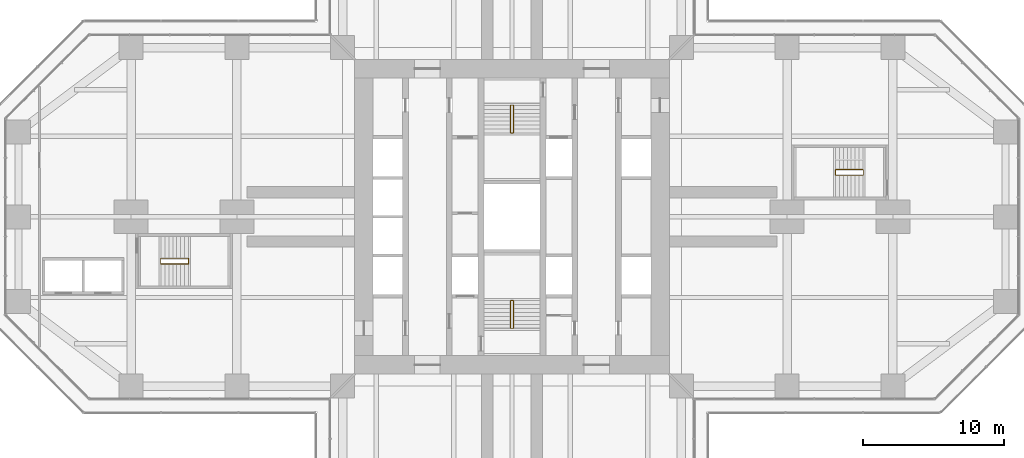
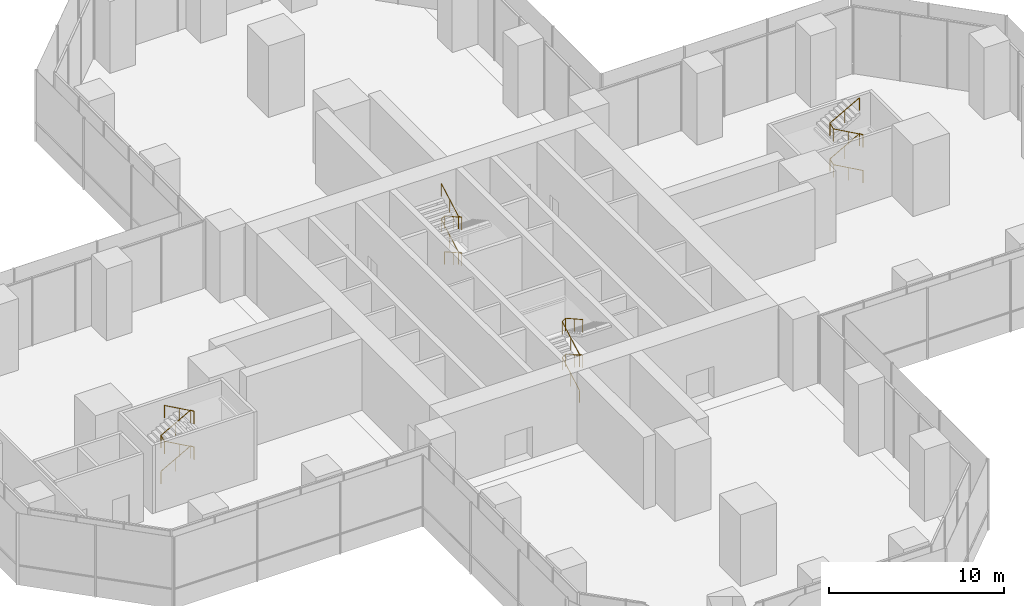
# One storey, part 23 of 23: 4 railings.
"""IFC4 building model written with IfcOpenShell, lengths in metres."""

from ifc_helpers import new_model, si_unit, direction, frame, origin, origin_2d, place, context, subcontext, project, spatial, circle, extrude, material, type_object, element, save


model = new_model("IFC4")

# Units and contexts
model_context = context("Model", 3, precision=1e-05, world=origin(), true_north=direction((0.0, 1.0)))
body_context = subcontext(model_context, "Body", "Model", "MODEL_VIEW")
ifc_project = project(units=[si_unit("LENGTHUNIT", "METRE"), si_unit("AREAUNIT", "SQUARE_METRE"), si_unit("VOLUMEUNIT", "CUBIC_METRE"), si_unit("PLANEANGLEUNIT", "RADIAN"), si_unit("MASSUNIT", "GRAM", prefix="KILO")], contexts=[model_context])

# Site, building, storey
site_placement = place(None, origin())
site = spatial("IfcSite", under=ifc_project, at=site_placement, CompositionType="ELEMENT")
building_placement = place(site_placement, origin())
building = spatial("IfcBuilding", under=site, at=building_placement, Name="Mizan Broadcast Tower", CompositionType="ELEMENT")
storey_placement = place(building_placement, frame((0.0, 0.0, 23.0)))
storey = spatial("IfcBuildingStorey", under=building, at=storey_placement, Name="L03", CompositionType="ELEMENT", Elevation=23.0)

# Railings
ifc_material = material(Name="Stainless steel", Category="steel")
railing_type = type_object("IfcRailingType", Name="HANDRAIL 50", PredefinedType="HANDRAIL", material=ifc_material)
railing_1_placement = place(storey_placement, frame((-0.110107421875, -7.89990234375, 0.15625)))
element("IfcRailing", 1, at=railing_1_placement, inside=storey, type_object=railing_type, Name="Stair A handrail", PredefinedType="HANDRAIL", context=body_context, shape_type="SweptSolid", body=[
    extrude(circle(Radius=0.02392578125, at=origin_2d()), frame((0.0, 0.0, 0.8759765625), z_axis=(0.0, 0.873232148454, 0.487304437602), x_axis=(-1.0, 0.0, 0.0)), (0.0, 0.0, 1.0), 2.244384765625),
    extrude(circle(Radius=0.02392578125, at=origin_2d()), frame((0.0, 1.9599609375, 1.9697265625), z_axis=(0.815562204743, 0.0, 0.578669413565), x_axis=(0.0, 1.0, 0.0)), (0.0, 0.0, 1.0), 0.27001953125),
    extrude(circle(Radius=0.02392578125, at=origin_2d()), frame((0.22021484375, 1.9599609375, 2.1259765625), z_axis=(0.0, -0.873232148454, 0.487304437602), x_axis=(1.0, 0.0, 0.0)), (0.0, 0.0, 1.0), 2.244384765625),
    extrude(circle(Radius=0.02392578125, at=origin_2d()), frame((0.22021484375, 0.0, 3.2197265625), z_axis=(-0.815562204743, 0.0, 0.578669413565), x_axis=(0.0, -1.0, 0.0)), (0.0, 0.0, 1.0), 0.27001953125),
    extrude(circle(Radius=0.02392578125, at=origin_2d()), frame((0.0, 0.0, 3.3759765625), z_axis=(0.0, 0.873232148454, 0.487304437602), x_axis=(-1.0, 0.0, 0.0)), (0.0, 0.0, 1.0), 2.244384765625),
    extrude(circle(Radius=0.02392578125, at=origin_2d()), frame((0.0, 1.9599609375, 4.4697265625), z_axis=(0.815562204743, 0.0, 0.578669413565), x_axis=(0.0, 1.0, 0.0)), (0.0, 0.0, 1.0), 0.27001953125),
    extrude(circle(Radius=0.02392578125, at=origin_2d()), frame((0.22021484375, 1.9599609375, 4.6259765625), z_axis=(0.0, -0.873232148454, 0.487304437602), x_axis=(1.0, 0.0, 0.0)), (0.0, 0.0, 1.0), 2.244384765625),
    extrude(circle(Radius=0.02099609375, at=origin_2d()), origin(), (0.0, 0.0, 1.0), 0.851806640625),
    extrude(circle(Radius=0.02099609375, at=origin_2d()), frame((0.0, 0.97998046875, 0.546875)), (0.0, 0.0, 1.0), 0.851806640625),
    extrude(circle(Radius=0.02099609375, at=origin_2d()), frame((0.0, 1.9599609375, 1.09375)), (0.0, 0.0, 1.0), 0.851806640625),
    extrude(circle(Radius=0.02099609375, at=origin_2d()), frame((0.22021484375, 1.9599609375, 1.25)), (0.0, 0.0, 1.0), 0.851806640625),
    extrude(circle(Radius=0.02099609375, at=origin_2d()), frame((0.22021484375, 0.97998046875, 1.796875)), (0.0, 0.0, 1.0), 0.851806640625),
    extrude(circle(Radius=0.02099609375, at=origin_2d()), frame((0.22021484375, 0.0, 2.34375)), (0.0, 0.0, 1.0), 0.851806640625),
    extrude(circle(Radius=0.02099609375, at=origin_2d()), frame((0.0, 0.0, 2.5)), (0.0, 0.0, 1.0), 0.851806640625),
    extrude(circle(Radius=0.02099609375, at=origin_2d()), frame((0.0, 0.97998046875, 3.046875)), (0.0, 0.0, 1.0), 0.851806640625),
    extrude(circle(Radius=0.02099609375, at=origin_2d()), frame((0.0, 1.9599609375, 3.59375)), (0.0, 0.0, 1.0), 0.851806640625),
    extrude(circle(Radius=0.02099609375, at=origin_2d()), frame((0.22021484375, 1.9599609375, 3.75)), (0.0, 0.0, 1.0), 0.851806640625),
    extrude(circle(Radius=0.02099609375, at=origin_2d()), frame((0.22021484375, 0.97998046875, 4.296875)), (0.0, 0.0, 1.0), 0.851806640625),
    extrude(circle(Radius=0.02099609375, at=origin_2d()), frame((0.22021484375, 0.0, 4.84375)), (0.0, 0.0, 1.0), 0.851806640625),
])
railing_2_placement = place(storey_placement, frame((0.110107421875, 7.89990234375, 0.15625)))
element("IfcRailing", 2, at=railing_2_placement, inside=storey, type_object=railing_type, Name="Stair B handrail", PredefinedType="HANDRAIL", context=body_context, shape_type="SweptSolid", body=[
    extrude(circle(Radius=0.02392578125, at=origin_2d()), frame((0.0, 0.0, 0.8759765625), z_axis=(0.0, -0.873232148454, 0.487304437602), x_axis=(1.0, 0.0, 0.0)), (0.0, 0.0, 1.0), 2.244384765625),
    extrude(circle(Radius=0.02392578125, at=origin_2d()), frame((0.0, -1.9599609375, 1.9697265625), z_axis=(-0.815562204743, 0.0, 0.578669413565), x_axis=(0.0, -1.0, 0.0)), (0.0, 0.0, 1.0), 0.27001953125),
    extrude(circle(Radius=0.02392578125, at=origin_2d()), frame((-0.22021484375, -1.9599609375, 2.1259765625), z_axis=(0.0, 0.873232148454, 0.487304437602), x_axis=(-1.0, 0.0, 0.0)), (0.0, 0.0, 1.0), 2.244384765625),
    extrude(circle(Radius=0.02392578125, at=origin_2d()), frame((-0.22021484375, 0.0, 3.2197265625), z_axis=(0.815562204743, 0.0, 0.578669413565), x_axis=(0.0, 1.0, 0.0)), (0.0, 0.0, 1.0), 0.27001953125),
    extrude(circle(Radius=0.02392578125, at=origin_2d()), frame((0.0, 0.0, 3.3759765625), z_axis=(0.0, -0.873232148454, 0.487304437602), x_axis=(1.0, 0.0, 0.0)), (0.0, 0.0, 1.0), 2.244384765625),
    extrude(circle(Radius=0.02392578125, at=origin_2d()), frame((0.0, -1.9599609375, 4.4697265625), z_axis=(-0.815562204743, 0.0, 0.578669413565), x_axis=(0.0, -1.0, 0.0)), (0.0, 0.0, 1.0), 0.27001953125),
    extrude(circle(Radius=0.02392578125, at=origin_2d()), frame((-0.22021484375, -1.9599609375, 4.6259765625), z_axis=(0.0, 0.873232148454, 0.487304437602), x_axis=(-1.0, 0.0, 0.0)), (0.0, 0.0, 1.0), 2.244384765625),
    extrude(circle(Radius=0.02099609375, at=origin_2d()), origin(), (0.0, 0.0, 1.0), 0.851806640625),
    extrude(circle(Radius=0.02099609375, at=origin_2d()), frame((0.0, -0.97998046875, 0.546875)), (0.0, 0.0, 1.0), 0.851806640625),
    extrude(circle(Radius=0.02099609375, at=origin_2d()), frame((0.0, -1.9599609375, 1.09375)), (0.0, 0.0, 1.0), 0.851806640625),
    extrude(circle(Radius=0.02099609375, at=origin_2d()), frame((-0.22021484375, -1.9599609375, 1.25)), (0.0, 0.0, 1.0), 0.851806640625),
    extrude(circle(Radius=0.02099609375, at=origin_2d()), frame((-0.22021484375, -0.97998046875, 1.796875)), (0.0, 0.0, 1.0), 0.851806640625),
    extrude(circle(Radius=0.02099609375, at=origin_2d()), frame((-0.22021484375, 0.0, 2.34375)), (0.0, 0.0, 1.0), 0.851806640625),
    extrude(circle(Radius=0.02099609375, at=origin_2d()), frame((0.0, 0.0, 2.5)), (0.0, 0.0, 1.0), 0.851806640625),
    extrude(circle(Radius=0.02099609375, at=origin_2d()), frame((0.0, -0.97998046875, 3.046875)), (0.0, 0.0, 1.0), 0.851806640625),
    extrude(circle(Radius=0.02099609375, at=origin_2d()), frame((0.0, -1.9599609375, 3.59375)), (0.0, 0.0, 1.0), 0.851806640625),
    extrude(circle(Radius=0.02099609375, at=origin_2d()), frame((-0.22021484375, -1.9599609375, 3.75)), (0.0, 0.0, 1.0), 0.851806640625),
    extrude(circle(Radius=0.02099609375, at=origin_2d()), frame((-0.22021484375, -0.97998046875, 4.296875)), (0.0, 0.0, 1.0), 0.851806640625),
    extrude(circle(Radius=0.02099609375, at=origin_2d()), frame((-0.22021484375, 0.0, 4.84375)), (0.0, 0.0, 1.0), 0.851806640625),
])
railing_3_placement = place(storey_placement, frame((24.889892578125, 2.949951171875, 0.15625)))
element("IfcRailing", 3, at=railing_3_placement, inside=storey, type_object=railing_type, Name="Stair C handrail", PredefinedType="HANDRAIL", context=body_context, shape_type="SweptSolid", body=[
    extrude(circle(Radius=0.02392578125, at=origin_2d()), frame((0.0, 0.0, 0.8759765625), z_axis=(-0.873232148454, 0.0, 0.487304437602), x_axis=(0.0, -1.0, 0.0)), (0.0, 0.0, 1.0), 2.244384765625),
    extrude(circle(Radius=0.02392578125, at=origin_2d()), frame((-1.9599609375, 0.0, 1.9697265625), z_axis=(0.0, 0.931502486549, 0.363734955089), x_axis=(-1.0, 0.0, 0.0)), (0.0, 0.0, 1.0), 0.4296875),
    extrude(circle(Radius=0.02392578125, at=origin_2d()), frame((-1.9599609375, 0.400146484375, 2.1259765625), z_axis=(0.873232148454, 0.0, 0.487304437602), x_axis=(0.0, 1.0, 0.0)), (0.0, 0.0, 1.0), 2.244384765625),
    extrude(circle(Radius=0.02392578125, at=origin_2d()), frame((0.0, 0.400146484375, 3.2197265625), z_axis=(0.0, -0.931502486549, 0.363734955089), x_axis=(1.0, 0.0, 0.0)), (0.0, 0.0, 1.0), 0.4296875),
    extrude(circle(Radius=0.02392578125, at=origin_2d()), frame((0.0, 0.0, 3.3759765625), z_axis=(-0.873232148454, 0.0, 0.487304437602), x_axis=(0.0, -1.0, 0.0)), (0.0, 0.0, 1.0), 2.244384765625),
    extrude(circle(Radius=0.02392578125, at=origin_2d()), frame((-1.9599609375, 0.0, 4.4697265625), z_axis=(0.0, 0.931502486549, 0.363734955089), x_axis=(-1.0, 0.0, 0.0)), (0.0, 0.0, 1.0), 0.4296875),
    extrude(circle(Radius=0.02392578125, at=origin_2d()), frame((-1.9599609375, 0.400146484375, 4.6259765625), z_axis=(0.873232148454, 0.0, 0.487304437602), x_axis=(0.0, 1.0, 0.0)), (0.0, 0.0, 1.0), 2.244384765625),
    extrude(circle(Radius=0.02099609375, at=origin_2d()), origin(), (0.0, 0.0, 1.0), 0.851806640625),
    extrude(circle(Radius=0.02099609375, at=origin_2d()), frame((-0.97998046875, 0.0, 0.546875)), (0.0, 0.0, 1.0), 0.851806640625),
    extrude(circle(Radius=0.02099609375, at=origin_2d()), frame((-1.9599609375, 0.0, 1.09375)), (0.0, 0.0, 1.0), 0.851806640625),
    extrude(circle(Radius=0.02099609375, at=origin_2d()), frame((-1.9599609375, 0.400146484375, 1.25)), (0.0, 0.0, 1.0), 0.851806640625),
    extrude(circle(Radius=0.02099609375, at=origin_2d()), frame((-0.97998046875, 0.400146484375, 1.796875)), (0.0, 0.0, 1.0), 0.851806640625),
    extrude(circle(Radius=0.02099609375, at=origin_2d()), frame((0.0, 0.400146484375, 2.34375)), (0.0, 0.0, 1.0), 0.851806640625),
    extrude(circle(Radius=0.02099609375, at=origin_2d()), frame((0.0, 0.0, 2.5)), (0.0, 0.0, 1.0), 0.851806640625),
    extrude(circle(Radius=0.02099609375, at=origin_2d()), frame((-0.97998046875, 0.0, 3.046875)), (0.0, 0.0, 1.0), 0.851806640625),
    extrude(circle(Radius=0.02099609375, at=origin_2d()), frame((-1.9599609375, 0.0, 3.59375)), (0.0, 0.0, 1.0), 0.851806640625),
    extrude(circle(Radius=0.02099609375, at=origin_2d()), frame((-1.9599609375, 0.400146484375, 3.75)), (0.0, 0.0, 1.0), 0.851806640625),
    extrude(circle(Radius=0.02099609375, at=origin_2d()), frame((-0.97998046875, 0.400146484375, 4.296875)), (0.0, 0.0, 1.0), 0.851806640625),
    extrude(circle(Radius=0.02099609375, at=origin_2d()), frame((0.0, 0.400146484375, 4.84375)), (0.0, 0.0, 1.0), 0.851806640625),
])
railing_4_placement = place(storey_placement, frame((-24.889892578125, -2.949951171875, 0.15625)))
element("IfcRailing", 4, at=railing_4_placement, inside=storey, type_object=railing_type, Name="Stair D handrail", PredefinedType="HANDRAIL", context=body_context, shape_type="SweptSolid", body=[
    extrude(circle(Radius=0.02392578125, at=origin_2d()), frame((0.0, 0.0, 0.8759765625), z_axis=(0.873232148454, 0.0, 0.487304437602), x_axis=(0.0, 1.0, 0.0)), (0.0, 0.0, 1.0), 2.244384765625),
    extrude(circle(Radius=0.02392578125, at=origin_2d()), frame((1.9599609375, 0.0, 1.9697265625), z_axis=(0.0, -0.931502486549, 0.363734955089), x_axis=(1.0, 0.0, 0.0)), (0.0, 0.0, 1.0), 0.4296875),
    extrude(circle(Radius=0.02392578125, at=origin_2d()), frame((1.9599609375, -0.400146484375, 2.1259765625), z_axis=(-0.873232148454, 0.0, 0.487304437602), x_axis=(0.0, -1.0, 0.0)), (0.0, 0.0, 1.0), 2.244384765625),
    extrude(circle(Radius=0.02392578125, at=origin_2d()), frame((0.0, -0.400146484375, 3.2197265625), z_axis=(0.0, 0.931502486549, 0.363734955089), x_axis=(-1.0, 0.0, 0.0)), (0.0, 0.0, 1.0), 0.4296875),
    extrude(circle(Radius=0.02392578125, at=origin_2d()), frame((0.0, 0.0, 3.3759765625), z_axis=(0.873232148454, 0.0, 0.487304437602), x_axis=(0.0, 1.0, 0.0)), (0.0, 0.0, 1.0), 2.244384765625),
    extrude(circle(Radius=0.02392578125, at=origin_2d()), frame((1.9599609375, 0.0, 4.4697265625), z_axis=(0.0, -0.931502486549, 0.363734955089), x_axis=(1.0, 0.0, 0.0)), (0.0, 0.0, 1.0), 0.4296875),
    extrude(circle(Radius=0.02392578125, at=origin_2d()), frame((1.9599609375, -0.400146484375, 4.6259765625), z_axis=(-0.873232148454, 0.0, 0.487304437602), x_axis=(0.0, -1.0, 0.0)), (0.0, 0.0, 1.0), 2.244384765625),
    extrude(circle(Radius=0.02099609375, at=origin_2d()), origin(), (0.0, 0.0, 1.0), 0.851806640625),
    extrude(circle(Radius=0.02099609375, at=origin_2d()), frame((0.97998046875, 0.0, 0.546875)), (0.0, 0.0, 1.0), 0.851806640625),
    extrude(circle(Radius=0.02099609375, at=origin_2d()), frame((1.9599609375, 0.0, 1.09375)), (0.0, 0.0, 1.0), 0.851806640625),
    extrude(circle(Radius=0.02099609375, at=origin_2d()), frame((1.9599609375, -0.400146484375, 1.25)), (0.0, 0.0, 1.0), 0.851806640625),
    extrude(circle(Radius=0.02099609375, at=origin_2d()), frame((0.97998046875, -0.400146484375, 1.796875)), (0.0, 0.0, 1.0), 0.851806640625),
    extrude(circle(Radius=0.02099609375, at=origin_2d()), frame((0.0, -0.400146484375, 2.34375)), (0.0, 0.0, 1.0), 0.851806640625),
    extrude(circle(Radius=0.02099609375, at=origin_2d()), frame((0.0, 0.0, 2.5)), (0.0, 0.0, 1.0), 0.851806640625),
    extrude(circle(Radius=0.02099609375, at=origin_2d()), frame((0.97998046875, 0.0, 3.046875)), (0.0, 0.0, 1.0), 0.851806640625),
    extrude(circle(Radius=0.02099609375, at=origin_2d()), frame((1.9599609375, 0.0, 3.59375)), (0.0, 0.0, 1.0), 0.851806640625),
    extrude(circle(Radius=0.02099609375, at=origin_2d()), frame((1.9599609375, -0.400146484375, 3.75)), (0.0, 0.0, 1.0), 0.851806640625),
    extrude(circle(Radius=0.02099609375, at=origin_2d()), frame((0.97998046875, -0.400146484375, 4.296875)), (0.0, 0.0, 1.0), 0.851806640625),
    extrude(circle(Radius=0.02099609375, at=origin_2d()), frame((0.0, -0.400146484375, 4.84375)), (0.0, 0.0, 1.0), 0.851806640625),
])

save(model, "model.ifc")
